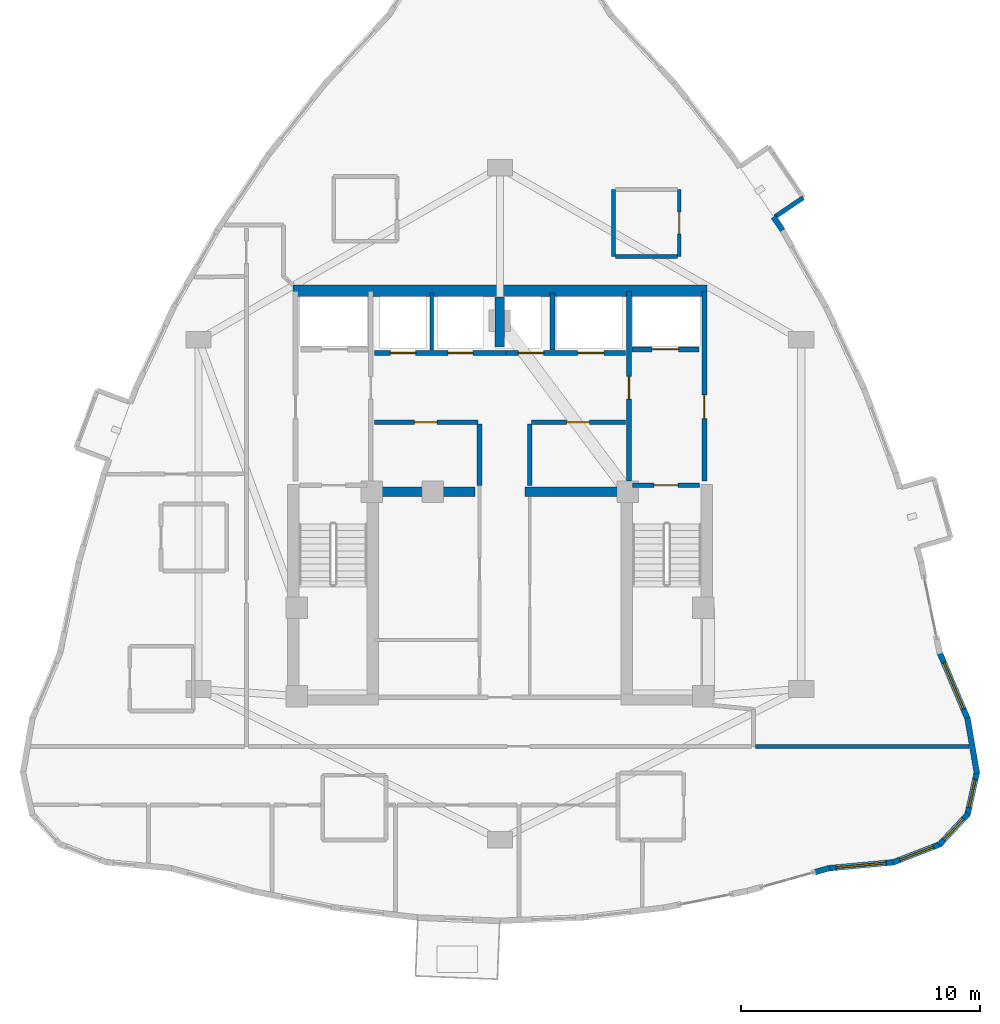
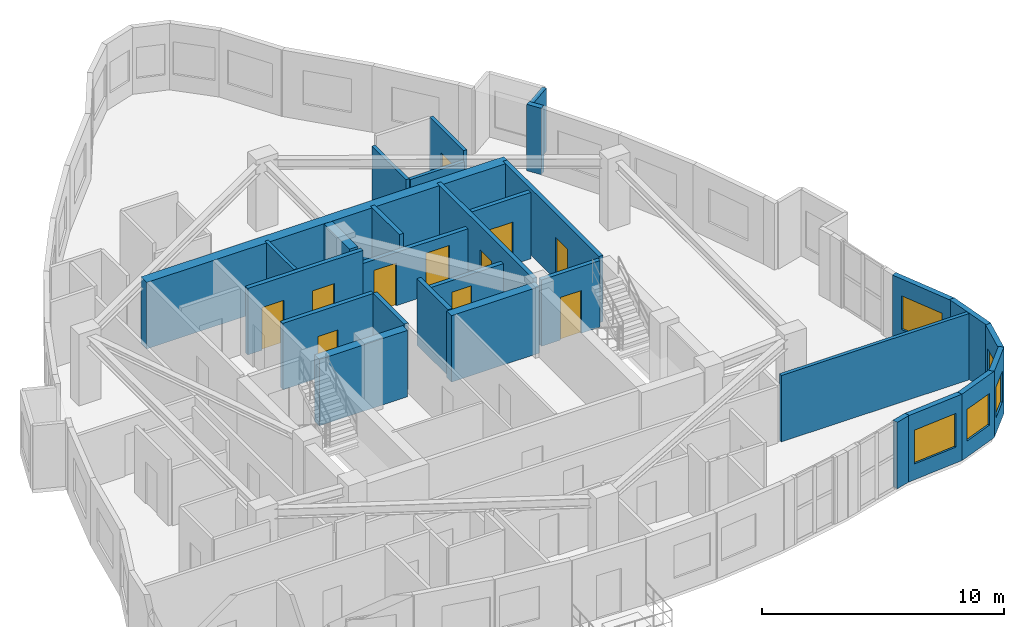
# One storey, part 12 of 15: 29 walls, 11 doors, 5 windows, 16 openings.
"""IFC4 building model written with IfcOpenShell, lengths in metres."""

from ifc_helpers import new_model, si_unit, direction, frame, frame_2d, origin, place, context, subcontext, project, spatial, rectangle, extrude, material, layer, layer_set, type_object, element, fill, save


model = new_model("IFC4")

# Units and contexts
model_context = context("Model", 3, precision=1e-05, world=origin(), true_north=direction((0.0, 1.0)))
body_context = subcontext(model_context, "Body", "Model", "MODEL_VIEW")
ifc_project = project(units=[si_unit("LENGTHUNIT", "METRE"), si_unit("AREAUNIT", "SQUARE_METRE"), si_unit("VOLUMEUNIT", "CUBIC_METRE"), si_unit("PLANEANGLEUNIT", "RADIAN"), si_unit("MASSUNIT", "GRAM", prefix="KILO")], contexts=[model_context])

# Site, building, storey
site_placement = place(None, origin())
site = spatial("IfcSite", under=ifc_project, at=site_placement, CompositionType="ELEMENT")
building_placement = place(site_placement, origin())
building = spatial("IfcBuilding", under=site, at=building_placement, Name="Miruveldt Soraemaru", CompositionType="ELEMENT")
storey_placement = place(building_placement, frame((0.0, 0.0, 234.0)))
storey = spatial("IfcBuildingStorey", under=building, at=storey_placement, Name="L64", CompositionType="ELEMENT", Elevation=234.0)

# Walls
ifc_material_1 = material(Name="White powder-coated aluminium EN AW-6060 T6", Category="aluminium")
ifc_layer_1 = layer(ifc_material_1, 0.18994140625, Name="White powder-coated aluminium EN AW-6060 T6", Category="aluminium")
ifc_layer_set_1 = layer_set([ifc_layer_1], Name="White powder-coated aluminium EN AW-6060 T6")
wall_type_1 = type_object("IfcWallType", Name="WALL-BAY-ALU190", PredefinedType="SOLIDWALL", material=ifc_layer_set_1)
wall_1_placement = place(storey_placement, frame((55.506591796875, 55.54541015625, 0.0), z_axis=(0.0, 0.0, 1.0), x_axis=(0.827862228344, 0.560931485016, 0.0)))
element("IfcWall", 1, at=wall_1_placement, inside=storey, type_object=wall_type_1, Name="L64 Bay Window Side Cheek 2L", PredefinedType="SOLIDWALL", context=body_context, shape_type="SweptSolid", body=[
    extrude(rectangle(XDim=1.425048828125, YDim=0.18994140625, at=frame_2d((0.71240234375, 0.0))), origin(), (0.0, 0.0, 1.0), 3.195068359375),
])
ifc_material_2 = material(Name="Concrete C70/85 (70 MPa)", Category="concrete")
ifc_layer_2 = layer(ifc_material_2, 0.5, Name="Concrete C70/85 (70 MPa)", Category="concrete")
ifc_layer_set_2 = layer_set([ifc_layer_2], Name="Concrete C70/85 (70 MPa)")
wall_type_2 = type_object("IfcWallType", Name="WALL-BW-500", PredefinedType="SHEAR", material=ifc_layer_set_2)
wall_2_placement = place(storey_placement, frame((44.0, 50.10009765625, 0.0), z_axis=(0.0, 0.0, 1.0), x_axis=(0.0, 1.0, 0.0)))
element("IfcWall", 2, at=wall_2_placement, inside=storey, type_object=wall_type_2, Name="L64 Core Buttress Shear Wall BN", PredefinedType="SHEAR", context=body_context, shape_type="SweptSolid", body=[
    extrude(rectangle(XDim=2.099853515625, YDim=0.39990234375, at=frame_2d((1.0498046875, 0.0))), origin(), (0.0, 0.0, 1.0), 3.344970703125),
])
for number, where, z_axis, x_axis, name in (
    (3, (38.75, 44.050048828125, 0.0), (0.0, 0.0, 1.0), (1.0, 0.0, 0.0), "L64 Core Buttress Shear Wall BW"),
    (4, (45.050048828125, 44.050048828125, 0.0), (0.0, 0.0, 1.0), (1.0, 0.0, 0.0), "L64 Core Buttress Shear Wall BE"),
):
    element("IfcWall", number, at=place(storey_placement, frame(where, z_axis=z_axis, x_axis=x_axis)), inside=storey, type_object=wall_type_2, Name=name, PredefinedType="SHEAR", context=body_context, shape_type="SweptSolid", body=[
        extrude(rectangle(XDim=4.199951171875, YDim=0.39990234375, at=frame_2d((2.10009765625, 0.0))), origin(), (0.0, 0.0, 1.0), 3.344970703125),
    ])
ifc_material_3 = material(Name="Concrete C60/75 (60 MPa)", Category="concrete")
ifc_layer_3 = layer(ifc_material_3, 0.47998046875, Name="Concrete C60/75 (60 MPa)", Category="concrete")
ifc_layer_set_3 = layer_set([ifc_layer_3], Name="Concrete C60/75 (60 MPa)")
wall_type_3 = type_object("IfcWallType", Name="WALL-CW-480", PredefinedType="SHEAR", material=ifc_layer_set_3)
wall_3_placement = place(storey_placement, frame((35.35009765625, 52.449951171875, 0.0), z_axis=(0.0, 0.0, 1.0), x_axis=(1.0, 0.0, 0.0)))
element("IfcWall", 5, at=wall_3_placement, inside=storey, type_object=wall_type_3, Name="L64 Central Core Shear Wall N", PredefinedType="SHEAR", context=body_context, shape_type="SweptSolid", body=[
    extrude(rectangle(XDim=17.2998046875, YDim=0.47998046875, at=frame_2d((8.64990234375, 0.0))), origin(), (0.0, 0.0, 1.0), 3.344970703125),
])
ifc_material_4 = material(Name="Precast concrete C45/55 (45 MPa)", Category="concrete")
ifc_layer_4 = layer(ifc_material_4, 0.239990234375, Name="Precast concrete C45/55 (45 MPa)", Category="concrete")
ifc_layer_set_4 = layer_set([ifc_layer_4], Name="Precast concrete C45/55 (45 MPa)")
wall_type_4 = type_object("IfcWallType", Name="WALL-EXT-PC240", PredefinedType="SOLIDWALL", material=ifc_layer_set_4)
wall_4_placement = place(storey_placement, frame((57.107177734375, 28.123291015625, 0.0), z_axis=(0.0, 0.0, 1.0), x_axis=(0.962960424707, 0.269642764503, 0.0)))
element("IfcWall", 6, at=wall_4_placement, inside=storey, type_object=wall_type_4, Name="L64 Precast Pier Right 28", PredefinedType="SOLIDWALL", context=body_context, shape_type="SweptSolid", body=[
    extrude(rectangle(XDim=0.705322265625, YDim=0.239990234375, at=frame_2d((0.3525390625, 0.0))), origin(), (0.0, 0.0, 1.0), 3.344970703125),
])

# Wall, opening, window
wall_5_placement = place(storey_placement, frame((57.7177734375, 28.30078125, 0.0), z_axis=(0.0, 0.0, 1.0), x_axis=(0.995760144558, 0.09198768673, 0.0)))
wall_5 = element("IfcWall", 7, at=wall_5_placement, inside=storey, type_object=wall_type_4, Name="L64 Precast Concrete Facade Wall 29", PredefinedType="SOLIDWALL", context=body_context, shape_type="SweptSolid", body=[
    extrude(rectangle(XDim=2.789306640625, YDim=0.239990234375, at=frame_2d((1.39453125, 0.0))), origin(), (0.0, 0.0, 1.0), 3.344970703125),
])
opening_1_placement = place(wall_5_placement, frame((0.344970703125, 0.0, 0.800048828125)))
opening_1 = element("IfcOpeningElement", 8, at=opening_1_placement, cuts=wall_5, Name="Opening WN-1", PredefinedType="OPENING", context=body_context, shape_type="SweptSolid", body=[
    extrude(rectangle(XDim=2.10009765625, YDim=1.699951171875, at=frame_2d((1.050048828125, 0.85009765625))), frame((0.0, 0.1298828125, 0.0), z_axis=(0.0, -1.0, 0.0), x_axis=(1.0, 0.0, 0.0)), (0.0, 0.0, 1.0), 0.260009765625),
])
ifc_material_5 = material(Name="Triple low-e insulated glazing", Category="glass")
window_type_1 = type_object("IfcWindowType", Name="WIN-PUNCH-2100x1700", PartitioningType="SINGLE_PANEL", PredefinedType="WINDOW", material=ifc_material_5)
window_1_placement = place(opening_1_placement, origin())
window_1 = element("IfcWindow", 9, at=window_1_placement, inside=storey, type_object=window_type_1, Name="L64 Punched Triple-Glazed Window 29.1", OverallHeight=1.699951171875, OverallWidth=2.10009765625, PartitioningType="SINGLE_PANEL", PredefinedType="WINDOW", context=body_context, shape_type="SweptSolid", body=[
    extrude(rectangle(XDim=2.10009765625, YDim=1.699951171875, at=frame_2d((1.050048828125, 0.85009765625))), frame((0.0, 0.030029296875, 0.0), z_axis=(0.0, -1.0, 0.0), x_axis=(1.0, 0.0, 0.0)), (0.0, 0.0, 1.0), 0.06005859375),
])
fill(opening_1, window_1)

wall_6_placement = place(storey_placement, frame((60.427734375, 28.54150390625, 0.0), z_axis=(0.0, 0.0, 1.0), x_axis=(0.932297074695, 0.361693467616, 0.0)))
wall_6 = element("IfcWall", 10, at=wall_6_placement, inside=storey, type_object=wall_type_4, Name="L64 Precast Concrete Facade Wall 30", PredefinedType="SOLIDWALL", context=body_context, shape_type="SweptSolid", body=[
    extrude(rectangle(XDim=2.14453125, YDim=0.239990234375, at=frame_2d((1.072265625, 0.0))), origin(), (0.0, 0.0, 1.0), 3.344970703125),
])
opening_2_placement = place(wall_6_placement, frame((0.322998046875, 0.0, 0.800048828125)))
opening_2 = element("IfcOpeningElement", 11, at=opening_2_placement, cuts=wall_6, Name="Opening WN-3", PredefinedType="OPENING", context=body_context, shape_type="SweptSolid", body=[
    extrude(rectangle(XDim=1.5, YDim=1.60009765625, at=frame_2d((0.75, 0.800048828125))), frame((0.0, 0.1298828125, 0.0), z_axis=(0.0, -1.0, 0.0), x_axis=(1.0, 0.0, 0.0)), (0.0, 0.0, 1.0), 0.260009765625),
])
window_type_2 = type_object("IfcWindowType", Name="WIN-PUNCH-1500x1600", PartitioningType="SINGLE_PANEL", PredefinedType="WINDOW", material=ifc_material_5)
window_2_placement = place(opening_2_placement, origin())
window_2 = element("IfcWindow", 12, at=window_2_placement, inside=storey, type_object=window_type_2, Name="L64 Punched Triple-Glazed Window 30.1", OverallHeight=1.60009765625, OverallWidth=1.5, PartitioningType="SINGLE_PANEL", PredefinedType="WINDOW", context=body_context, shape_type="SweptSolid", body=[
    extrude(rectangle(XDim=1.5, YDim=1.60009765625, at=frame_2d((0.75, 0.800048828125))), frame((0.0, 0.030029296875, 0.0), z_axis=(0.0, -1.0, 0.0), x_axis=(1.0, 0.0, 0.0)), (0.0, 0.0, 1.0), 0.06005859375),
])
fill(opening_2, window_2)

wall_7_placement = place(storey_placement, frame((62.37060546875, 29.27880859375, 0.0), z_axis=(0.0, 0.0, 1.0), x_axis=(0.680150513849, 0.733072491989, 0.0)))
wall_7 = element("IfcWall", 13, at=wall_7_placement, inside=storey, type_object=wall_type_4, Name="L64 Precast Concrete Facade Wall 31", PredefinedType="SOLIDWALL", context=body_context, shape_type="SweptSolid", body=[
    extrude(rectangle(XDim=1.776123046875, YDim=0.239990234375, at=frame_2d((0.88818359375, 0.0))), origin(), (0.0, 0.0, 1.0), 3.344970703125),
])
opening_3_placement = place(wall_7_placement, frame((0.2880859375, 0.0, 0.780029296875)))
opening_3 = element("IfcOpeningElement", 14, at=opening_3_placement, cuts=wall_7, Name="Opening WN-4", PredefinedType="OPENING", context=body_context, shape_type="SweptSolid", body=[
    extrude(rectangle(XDim=1.199951171875, YDim=1.550048828125, at=frame_2d((0.60009765625, 0.77490234375))), frame((0.0, 0.1298828125, 0.0), z_axis=(0.0, -1.0, 0.0), x_axis=(1.0, 0.0, 0.0)), (0.0, 0.0, 1.0), 0.260009765625),
])
window_type_3 = type_object("IfcWindowType", Name="WIN-PUNCH-1200x1550", PartitioningType="SINGLE_PANEL", PredefinedType="WINDOW", material=ifc_material_5)
window_3_placement = place(opening_3_placement, origin())
window_3 = element("IfcWindow", 15, at=window_3_placement, inside=storey, type_object=window_type_3, Name="L64 Punched Triple-Glazed Window 31.1", OverallHeight=1.550048828125, OverallWidth=1.199951171875, PartitioningType="SINGLE_PANEL", PredefinedType="WINDOW", context=body_context, shape_type="SweptSolid", body=[
    extrude(rectangle(XDim=1.199951171875, YDim=1.550048828125, at=frame_2d((0.60009765625, 0.77490234375))), frame((0.0, 0.030029296875, 0.0), z_axis=(0.0, -1.0, 0.0), x_axis=(1.0, 0.0, 0.0)), (0.0, 0.0, 1.0), 0.06005859375),
])
fill(opening_3, window_3)

wall_8_placement = place(storey_placement, frame((63.54736328125, 30.52099609375, 0.0), z_axis=(0.0, 0.0, 1.0), x_axis=(0.215681605484, 0.976463744875, 0.0)))
wall_8 = element("IfcWall", 16, at=wall_8_placement, inside=storey, type_object=wall_type_4, Name="L64 Precast Concrete Facade Wall 32", PredefinedType="SOLIDWALL", context=body_context, shape_type="SweptSolid", body=[
    extrude(rectangle(XDim=1.86328125, YDim=0.239990234375, at=frame_2d((0.931640625, 0.0))), origin(), (0.0, 0.0, 1.0), 3.344970703125),
])
opening_4_placement = place(wall_8_placement, frame((0.33203125, 0.0, 0.780029296875)))
opening_4 = element("IfcOpeningElement", 17, at=opening_4_placement, cuts=wall_8, Name="Opening WN-4", PredefinedType="OPENING", context=body_context, shape_type="SweptSolid", body=[
    extrude(rectangle(XDim=1.199951171875, YDim=1.550048828125, at=frame_2d((0.60009765625, 0.77490234375))), frame((0.0, 0.1298828125, 0.0), z_axis=(0.0, -1.0, 0.0), x_axis=(1.0, 0.0, 0.0)), (0.0, 0.0, 1.0), 0.260009765625),
])
window_4_placement = place(opening_4_placement, origin())
window_4 = element("IfcWindow", 18, at=window_4_placement, inside=storey, type_object=window_type_3, Name="L64 Punched Triple-Glazed Window 32.1", OverallHeight=1.550048828125, OverallWidth=1.199951171875, PartitioningType="SINGLE_PANEL", PredefinedType="WINDOW", context=body_context, shape_type="SweptSolid", body=[
    extrude(rectangle(XDim=1.199951171875, YDim=1.550048828125, at=frame_2d((0.60009765625, 0.77490234375))), frame((0.0, 0.030029296875, 0.0), z_axis=(0.0, -1.0, 0.0), x_axis=(1.0, 0.0, 0.0)), (0.0, 0.0, 1.0), 0.06005859375),
])
fill(opening_4, window_4)

# Wall
wall_9_placement = place(storey_placement, frame((63.947509765625, 32.271484375, 0.0), z_axis=(0.0, 0.0, 1.0), x_axis=(-0.169240125324, 0.985574847477, 0.0)))
element("IfcWall", 19, at=wall_9_placement, inside=storey, type_object=wall_type_4, Name="L64 Precast Concrete Facade Wall 33", PredefinedType="SOLIDWALL", context=body_context, shape_type="SweptSolid", body=[
    extrude(rectangle(XDim=2.354248046875, YDim=0.239990234375, at=frame_2d((1.17724609375, 0.0))), origin(), (0.0, 0.0, 1.0), 3.344970703125),
])

# Wall, opening, window
wall_10_placement = place(storey_placement, frame((63.568603515625, 34.52490234375, 0.0), z_axis=(0.0, 0.0, 1.0), x_axis=(-0.388639047132, 0.921390086253, 0.0)))
wall_10 = element("IfcWall", 20, at=wall_10_placement, inside=storey, type_object=wall_type_4, Name="L64 Precast Concrete Facade Wall 34", PredefinedType="SOLIDWALL", context=body_context, shape_type="SweptSolid", body=[
    extrude(rectangle(XDim=3.05615234375, YDim=0.239990234375, at=frame_2d((1.528076171875, 0.0))), origin(), (0.0, 0.0, 1.0), 3.344970703125),
])
opening_5_placement = place(wall_10_placement, frame((0.47802734375, 0.0, 0.800048828125)))
opening_5 = element("IfcOpeningElement", 21, at=opening_5_placement, cuts=wall_10, Name="Opening WN-1", PredefinedType="OPENING", context=body_context, shape_type="SweptSolid", body=[
    extrude(rectangle(XDim=2.10009765625, YDim=1.699951171875, at=frame_2d((1.050048828125, 0.85009765625))), frame((0.0, 0.1298828125, 0.0), z_axis=(0.0, -1.0, 0.0), x_axis=(1.0, 0.0, 0.0)), (0.0, 0.0, 1.0), 0.260009765625),
])
window_5_placement = place(opening_5_placement, origin())
window_5 = element("IfcWindow", 22, at=window_5_placement, inside=storey, type_object=window_type_1, Name="L64 Punched Triple-Glazed Window 34.1", OverallHeight=1.699951171875, OverallWidth=2.10009765625, PartitioningType="SINGLE_PANEL", PredefinedType="WINDOW", context=body_context, shape_type="SweptSolid", body=[
    extrude(rectangle(XDim=2.10009765625, YDim=1.699951171875, at=frame_2d((1.050048828125, 0.85009765625))), frame((0.0, 0.030029296875, 0.0), z_axis=(0.0, -1.0, 0.0), x_axis=(1.0, 0.0, 0.0)), (0.0, 0.0, 1.0), 0.06005859375),
])
fill(opening_5, window_5)

# Wall
wall_11_placement = place(storey_placement, frame((55.819580078125, 54.9853515625, 0.0), z_axis=(0.0, 0.0, 1.0), x_axis=(-0.560912655774, 0.82787498609, 0.0)))
element("IfcWall", 23, at=wall_11_placement, inside=storey, type_object=wall_type_4, Name="L64 Precast Pier Wall 40A", PredefinedType="SOLIDWALL", context=body_context, shape_type="SweptSolid", body=[
    extrude(rectangle(XDim=0.66943359375, YDim=0.239990234375, at=frame_2d((0.334716796875, 0.0))), origin(), (0.0, 0.0, 1.0), 3.344970703125),
])

# Wall, opening, door
ifc_material_6 = material(Name="Concrete C40/50 (40 MPa)", Category="concrete")
ifc_layer_5 = layer(ifc_material_6, 0.159912109375, Name="Concrete C40/50 (40 MPa)", Category="concrete")
ifc_layer_set_5 = layer_set([ifc_layer_5], Name="Concrete C40/50 (40 MPa)")
wall_type_5 = type_object("IfcWallType", Name="WALL-INT-RC160", PredefinedType="SOLIDWALL", material=ifc_layer_set_5)
wall_12_placement = place(storey_placement, frame((51.4990234375, 53.8798828125, 0.0), z_axis=(0.0, 0.0, 1.0), x_axis=(0.0, 1.0, 0.0)))
wall_12 = element("IfcWall", 24, at=wall_12_placement, inside=storey, type_object=wall_type_5, Name="L64 Partition Wall 39", PredefinedType="SOLIDWALL", context=body_context, shape_type="SweptSolid", body=[
    extrude(rectangle(XDim=2.800048828125, YDim=0.159912109375, at=frame_2d((1.39990234375, 0.0))), origin(), (0.0, 0.0, 1.0), 3.344970703125),
])
opening_6_placement = place(wall_12_placement, frame((0.93994140625, 0.0, 0.0)))
opening_6 = element("IfcOpeningElement", 25, at=opening_6_placement, cuts=wall_12, Name="Opening D3A", PredefinedType="OPENING", context=body_context, shape_type="SweptSolid", body=[
    extrude(rectangle(XDim=0.919921875, YDim=2.10009765625, at=frame_2d((0.4599609375, 1.050048828125))), frame((0.0, 0.08984375, 0.0), z_axis=(0.0, -1.0, 0.0), x_axis=(1.0, 0.0, 0.0)), (0.0, 0.0, 1.0), 0.179931640625),
])
ifc_material_7 = material(Name="Anodised aluminium EN AW-6063 T6", Category="aluminium")
door_type_1 = type_object("IfcDoorType", Name="DOOR-INT-920", OperationType="NOTDEFINED", PredefinedType="DOOR", material=ifc_material_7)
door_1_placement = place(opening_6_placement, origin())
door_1 = element("IfcDoor", 26, at=door_1_placement, inside=storey, type_object=door_type_1, Name="L64 Unit CL02 KIT Door", OperationType="SINGLE_SWING_RIGHT", OverallHeight=2.10009765625, OverallWidth=0.919921875, PredefinedType="DOOR", context=body_context, shape_type="SweptSolid", body=[
    extrude(rectangle(XDim=0.919921875, YDim=2.10009765625, at=frame_2d((0.4599609375, 1.050048828125))), frame((0.0, 0.02490234375, 0.0), z_axis=(0.0, -1.0, 0.0), x_axis=(1.0, 0.0, 0.0)), (0.0, 0.0, 1.0), 0.050048828125),
])
fill(opening_6, door_1)

# Walls
wall_13_placement = place(storey_placement, frame((63.617919921875, 33.39208984375, 0.0), z_axis=(0.0, 0.0, 1.0), x_axis=(-0.999999617555, 0.000874579457, 0.0)))
element("IfcWall", 27, at=wall_13_placement, inside=storey, type_object=wall_type_5, Name="L64 Partition Wall 24", PredefinedType="SOLIDWALL", context=body_context, shape_type="SweptSolid", body=[
    extrude(rectangle(XDim=8.932861328125, YDim=0.159912109375, at=frame_2d((4.46630859375, 0.0))), origin(), (0.0, 0.0, 1.0), 3.344970703125),
])
wall_14_placement = place(storey_placement, frame((48.7490234375, 56.679931640625, 0.0), z_axis=(0.0, 0.0, 1.0), x_axis=(0.0, -1.0, 0.0)))
element("IfcWall", 28, at=wall_14_placement, inside=storey, type_object=wall_type_5, Name="L64 Partition Wall 41", PredefinedType="SOLIDWALL", context=body_context, shape_type="SweptSolid", body=[
    extrude(rectangle(XDim=2.800048828125, YDim=0.159912109375, at=frame_2d((1.39990234375, 0.0))), origin(), (0.0, 0.0, 1.0), 2.844970703125),
])
wall_15_placement = place(storey_placement, frame((48.8291015625, 53.8798828125, 0.0), z_axis=(0.0, 0.0, 1.0), x_axis=(1.0, 0.0, 0.0)))
element("IfcWall", 29, at=wall_15_placement, inside=storey, type_object=wall_type_5, Name="L64 Partition Wall 42", PredefinedType="SOLIDWALL", context=body_context, shape_type="SweptSolid", body=[
    extrude(rectangle(XDim=2.58984375, YDim=0.159912109375, at=frame_2d((1.294921875, 0.0))), origin(), (0.0, 0.0, 1.0), 2.844970703125),
])
wall_16_placement = place(storey_placement, frame((41.14990234375, 49.97998046875, 0.0), z_axis=(0.0, 0.0, 1.0), x_axis=(0.0, 1.0, 0.0)))
element("IfcWall", 30, at=wall_16_placement, inside=storey, type_object=wall_type_5, Name="L64 Core Compartment Wall PLH-DIV1", PredefinedType="SOLIDWALL", context=body_context, shape_type="SweptSolid", body=[
    extrude(rectangle(XDim=2.3701171875, YDim=0.159912109375, at=frame_2d((1.18505859375, 0.0))), origin(), (0.0, 0.0, 1.0), 3.344970703125),
])

# Wall, opening, door
ifc_layer_6 = layer(ifc_material_6, 0.199951171875, Name="Concrete C40/50 (40 MPa)", Category="concrete")
ifc_layer_set_6 = layer_set([ifc_layer_6], Name="Concrete C40/50 (40 MPa)")
wall_type_6 = type_object("IfcWallType", Name="WALL-INT-RC200", PredefinedType="SOLIDWALL", material=ifc_layer_set_6)
wall_17_placement = place(storey_placement, frame((52.550048828125, 44.5, 0.0), z_axis=(0.0, 0.0, 1.0), x_axis=(0.0, 1.0, 0.0)))
wall_17 = element("IfcWall", 31, at=wall_17_placement, inside=storey, type_object=wall_type_6, Name="L64 Core Compartment Wall FFE-OUT", PredefinedType="SOLIDWALL", context=body_context, shape_type="SweptSolid", body=[
    extrude(rectangle(XDim=7.919921875, YDim=0.199951171875, at=frame_2d((3.9599609375, 0.0))), origin(), (0.0, 0.0, 1.0), 3.344970703125),
])
opening_7_placement = place(wall_17_placement, frame((2.60009765625, 0.0, 0.0)))
opening_7 = element("IfcOpeningElement", 32, at=opening_7_placement, cuts=wall_17, Name="Opening FD1", PredefinedType="OPENING", context=body_context, shape_type="SweptSolid", body=[
    extrude(rectangle(XDim=1.0, YDim=2.14990234375, at=frame_2d((0.5, 1.074951171875))), frame((0.0, 0.10986328125, 0.0), z_axis=(0.0, -1.0, 0.0), x_axis=(1.0, 0.0, 0.0)), (0.0, 0.0, 1.0), 0.219970703125),
])
door_type_2 = type_object("IfcDoorType", Name="DOOR-FD1-1000", OperationType="NOTDEFINED", PredefinedType="DOOR", material=ifc_material_7)
door_2_placement = place(opening_7_placement, frame((1.0, 0.0, 0.0), z_axis=(0.0, 0.0, 1.0), x_axis=(-1.0, 0.0, 0.0)))
door_2 = element("IfcDoor", 33, at=door_2_placement, inside=storey, type_object=door_type_2, Name="L64 East Firefighting Lobby Exit Door", OperationType="SINGLE_SWING_RIGHT", OverallHeight=2.14990234375, OverallWidth=1.0, PredefinedType="DOOR", context=body_context, shape_type="SweptSolid", body=[
    extrude(rectangle(XDim=1.0, YDim=2.14990234375, at=frame_2d((0.5, 1.074951171875))), frame((0.0, 0.02490234375, 0.0), z_axis=(0.0, -1.0, 0.0), x_axis=(1.0, 0.0, 0.0)), (0.0, 0.0, 1.0), 0.050048828125),
])
fill(opening_7, door_2)

wall_18_placement = place(storey_placement, frame((49.39990234375, 44.5, 0.0), z_axis=(0.0, 0.0, 1.0), x_axis=(0.0, 1.0, 0.0)))
wall_18 = element("IfcWall", 34, at=wall_18_placement, inside=storey, type_object=wall_type_6, Name="L64 Core Compartment Wall FFE-IN", PredefinedType="SOLIDWALL", context=body_context, shape_type="SweptSolid", body=[
    extrude(rectangle(XDim=7.919921875, YDim=0.199951171875, at=frame_2d((3.9599609375, 0.0))), origin(), (0.0, 0.0, 1.0), 3.344970703125),
])
opening_8_placement = place(wall_18_placement, frame((3.425048828125, 0.0, 0.0)))
opening_8 = element("IfcOpeningElement", 35, at=opening_8_placement, cuts=wall_18, Name="Opening FD2", PredefinedType="OPENING", context=body_context, shape_type="SweptSolid", body=[
    extrude(rectangle(XDim=0.949951171875, YDim=2.14990234375, at=frame_2d((0.47509765625, 1.074951171875))), frame((0.0, 0.10986328125, 0.0), z_axis=(0.0, -1.0, 0.0), x_axis=(1.0, 0.0, 0.0)), (0.0, 0.0, 1.0), 0.219970703125),
])
door_type_3 = type_object("IfcDoorType", Name="DOOR-FD2-950", OperationType="NOTDEFINED", PredefinedType="DOOR", material=ifc_material_7)
door_3_placement = place(opening_8_placement, origin())
door_3 = element("IfcDoor", 36, at=door_3_placement, inside=storey, type_object=door_type_3, Name="L64 Lift Lobby to East Fire Lobby Door", OperationType="SINGLE_SWING_LEFT", OverallHeight=2.14990234375, OverallWidth=0.949951171875, PredefinedType="DOOR", context=body_context, shape_type="SweptSolid", body=[
    extrude(rectangle(XDim=0.949951171875, YDim=2.14990234375, at=frame_2d((0.47509765625, 1.074951171875))), frame((0.0, 0.02490234375, 0.0), z_axis=(0.0, -1.0, 0.0), x_axis=(1.0, 0.0, 0.0)), (0.0, 0.0, 1.0), 0.050048828125),
])
fill(opening_8, door_3)

# Wall, openings, doors
wall_19_placement = place(storey_placement, frame((38.75, 49.85009765625, 0.0), z_axis=(0.0, 0.0, 1.0), x_axis=(1.0, 0.0, 0.0)))
wall_19 = element("IfcWall", 37, at=wall_19_placement, inside=storey, type_object=wall_type_6, Name="L64 Core Compartment Wall ROWA-SW", PredefinedType="SOLIDWALL", context=body_context, shape_type="SweptSolid", body=[
    extrude(rectangle(XDim=5.5, YDim=0.199951171875, at=frame_2d((2.75, 0.0))), origin(), (0.0, 0.0, 1.0), 3.344970703125),
])
opening_9_placement = place(wall_19_placement, frame((0.675048828125, 0.0, 0.0)))
opening_9 = element("IfcOpeningElement", 38, at=opening_9_placement, cuts=wall_19, Name="Opening LD1", PredefinedType="OPENING", context=body_context, shape_type="SweptSolid", body=[
    extrude(rectangle(XDim=1.050048828125, YDim=2.14990234375, at=frame_2d((0.52490234375, 1.074951171875))), frame((0.0, 0.10986328125, 0.0), z_axis=(0.0, -1.0, 0.0), x_axis=(1.0, 0.0, 0.0)), (0.0, 0.0, 1.0), 0.219970703125),
])
opening_10_placement = place(wall_19_placement, frame((3.074951171875, 0.0, 0.0)))
opening_10 = element("IfcOpeningElement", 39, at=opening_10_placement, cuts=wall_19, Name="Opening LD1", PredefinedType="OPENING", context=body_context, shape_type="SweptSolid", body=[
    extrude(rectangle(XDim=1.050048828125, YDim=2.14990234375, at=frame_2d((0.52490234375, 1.074951171875))), frame((0.0, 0.10986328125, 0.0), z_axis=(0.0, -1.0, 0.0), x_axis=(1.0, 0.0, 0.0)), (0.0, 0.0, 1.0), 0.219970703125),
])
door_type_4 = type_object("IfcDoorType", Name="DOOR-LD1-1050", OperationType="SLIDING_TO_LEFT", PredefinedType="DOOR", material=ifc_material_7)
door_4_placement = place(opening_9_placement, origin())
door_4 = element("IfcDoor", 40, at=door_4_placement, inside=storey, type_object=door_type_4, Name="L64 PL-H1 Landing Door", OperationType="SLIDING_TO_LEFT", OverallHeight=2.14990234375, OverallWidth=1.050048828125, PredefinedType="DOOR", context=body_context, shape_type="SweptSolid", body=[
    extrude(rectangle(XDim=1.050048828125, YDim=2.14990234375, at=frame_2d((0.52490234375, 1.074951171875))), frame((0.0, 0.02490234375, 0.0), z_axis=(0.0, -1.0, 0.0), x_axis=(1.0, 0.0, 0.0)), (0.0, 0.0, 1.0), 0.050048828125),
])
fill(opening_9, door_4)
door_5_placement = place(opening_10_placement, origin())
door_5 = element("IfcDoor", 41, at=door_5_placement, inside=storey, type_object=door_type_4, Name="L64 PL-H2 Landing Door", OperationType="SLIDING_TO_LEFT", OverallHeight=2.14990234375, OverallWidth=1.050048828125, PredefinedType="DOOR", context=body_context, shape_type="SweptSolid", body=[
    extrude(rectangle(XDim=1.050048828125, YDim=2.14990234375, at=frame_2d((0.52490234375, 1.074951171875))), frame((0.0, 0.02490234375, 0.0), z_axis=(0.0, -1.0, 0.0), x_axis=(1.0, 0.0, 0.0)), (0.0, 0.0, 1.0), 0.050048828125),
])
fill(opening_10, door_5)

wall_20_placement = place(storey_placement, frame((44.25, 49.85009765625, 0.0), z_axis=(0.0, 0.0, 1.0), x_axis=(1.0, 0.0, 0.0)))
wall_20 = element("IfcWall", 42, at=wall_20_placement, inside=storey, type_object=wall_type_6, Name="L64 Core Compartment Wall ROWA-SE", PredefinedType="SOLIDWALL", context=body_context, shape_type="SweptSolid", body=[
    extrude(rectangle(XDim=5.0, YDim=0.199951171875, at=frame_2d((2.5, 0.0))), origin(), (0.0, 0.0, 1.0), 2.68310546875),
])
opening_11_placement = place(wall_20_placement, frame((0.52490234375, 0.0, 0.0)))
opening_11 = element("IfcOpeningElement", 43, at=opening_11_placement, cuts=wall_20, Name="Opening LD1", PredefinedType="OPENING", context=body_context, shape_type="SweptSolid", body=[
    extrude(rectangle(XDim=1.050048828125, YDim=2.14990234375, at=frame_2d((0.52490234375, 1.074951171875))), frame((0.0, 0.10986328125, 0.0), z_axis=(0.0, -1.0, 0.0), x_axis=(1.0, 0.0, 0.0)), (0.0, 0.0, 1.0), 0.219970703125),
])
opening_12_placement = place(wall_20_placement, frame((3.0, 0.0, 0.0)))
opening_12 = element("IfcOpeningElement", 44, at=opening_12_placement, cuts=wall_20, Name="Opening LD2", PredefinedType="OPENING", context=body_context, shape_type="SweptSolid", body=[
    extrude(rectangle(XDim=1.10009765625, YDim=2.14990234375, at=frame_2d((0.550048828125, 1.074951171875))), frame((0.0, 0.10986328125, 0.0), z_axis=(0.0, -1.0, 0.0), x_axis=(1.0, 0.0, 0.0)), (0.0, 0.0, 1.0), 0.219970703125),
])
door_6_placement = place(opening_11_placement, origin())
door_6 = element("IfcDoor", 45, at=door_6_placement, inside=storey, type_object=door_type_4, Name="L64 PL-H3 Landing Door", OperationType="SLIDING_TO_LEFT", OverallHeight=2.14990234375, OverallWidth=1.050048828125, PredefinedType="DOOR", context=body_context, shape_type="SweptSolid", body=[
    extrude(rectangle(XDim=1.050048828125, YDim=2.14990234375, at=frame_2d((0.52490234375, 1.074951171875))), frame((0.0, 0.02490234375, 0.0), z_axis=(0.0, -1.0, 0.0), x_axis=(1.0, 0.0, 0.0)), (0.0, 0.0, 1.0), 0.050048828125),
])
fill(opening_11, door_6)
door_type_5 = type_object("IfcDoorType", Name="DOOR-LD2-1100", OperationType="SLIDING_TO_LEFT", PredefinedType="DOOR", material=ifc_material_7)
door_7_placement = place(opening_12_placement, origin())
door_7 = element("IfcDoor", 46, at=door_7_placement, inside=storey, type_object=door_type_5, Name="L64 SL-1 Landing Door", OperationType="SLIDING_TO_LEFT", OverallHeight=2.14990234375, OverallWidth=1.10009765625, PredefinedType="DOOR", context=body_context, shape_type="SweptSolid", body=[
    extrude(rectangle(XDim=1.10009765625, YDim=2.14990234375, at=frame_2d((0.550048828125, 1.074951171875))), frame((0.0, 0.02490234375, 0.0), z_axis=(0.0, -1.0, 0.0), x_axis=(1.0, 0.0, 0.0)), (0.0, 0.0, 1.0), 0.050048828125),
])
fill(opening_12, door_7)

# Wall, opening, door
wall_21_placement = place(storey_placement, frame((38.75, 46.949951171875, 0.0), z_axis=(0.0, 0.0, 1.0), x_axis=(1.0, 0.0, 0.0)))
wall_21 = element("IfcWall", 47, at=wall_21_placement, inside=storey, type_object=wall_type_6, Name="L64 Core Compartment Wall MBW-N", PredefinedType="SOLIDWALL", context=body_context, shape_type="SweptSolid", body=[
    extrude(rectangle(XDim=4.330078125, YDim=0.199951171875, at=frame_2d((2.1650390625, 0.0))), origin(), (0.0, 0.0, 1.0), 3.344970703125),
])
opening_13_placement = place(wall_21_placement, frame((1.675048828125, 0.0, 0.0)))
opening_13 = element("IfcOpeningElement", 48, at=opening_13_placement, cuts=wall_21, Name="Opening D2", PredefinedType="OPENING", context=body_context, shape_type="SweptSolid", body=[
    extrude(rectangle(XDim=0.949951171875, YDim=2.10009765625, at=frame_2d((0.47509765625, 1.050048828125))), frame((0.0, 0.10986328125, 0.0), z_axis=(0.0, -1.0, 0.0), x_axis=(1.0, 0.0, 0.0)), (0.0, 0.0, 1.0), 0.219970703125),
])
door_type_6 = type_object("IfcDoorType", Name="DOOR-INT-950", OperationType="NOTDEFINED", PredefinedType="DOOR", material=ifc_material_7)
door_8_placement = place(opening_13_placement, origin())
door_8 = element("IfcDoor", 49, at=door_8_placement, inside=storey, type_object=door_type_6, Name="L64 Fire Door", OperationType="SINGLE_SWING_LEFT", OverallHeight=2.10009765625, OverallWidth=0.949951171875, PredefinedType="DOOR", context=body_context, shape_type="SweptSolid", body=[
    extrude(rectangle(XDim=0.949951171875, YDim=2.10009765625, at=frame_2d((0.47509765625, 1.050048828125))), frame((0.0, 0.02490234375, 0.0), z_axis=(0.0, -1.0, 0.0), x_axis=(1.0, 0.0, 0.0)), (0.0, 0.0, 1.0), 0.050048828125),
])
fill(opening_13, door_8)

wall_22_placement = place(storey_placement, frame((45.320068359375, 46.949951171875, 0.0), z_axis=(0.0, 0.0, 1.0), x_axis=(1.0, 0.0, 0.0)))
wall_22 = element("IfcWall", 50, at=wall_22_placement, inside=storey, type_object=wall_type_6, Name="L64 Core Compartment Wall MBE-N", PredefinedType="SOLIDWALL", context=body_context, shape_type="SweptSolid", body=[
    extrude(rectangle(XDim=3.929931640625, YDim=0.199951171875, at=frame_2d((1.96484375, 0.0))), origin(), (0.0, 0.0, 1.0), 2.68310546875),
])
opening_14_placement = place(wall_22_placement, frame((1.47509765625, 0.0, 0.0)))
opening_14 = element("IfcOpeningElement", 51, at=opening_14_placement, cuts=wall_22, Name="Opening D2", PredefinedType="OPENING", context=body_context, shape_type="SweptSolid", body=[
    extrude(rectangle(XDim=0.949951171875, YDim=2.10009765625, at=frame_2d((0.47509765625, 1.050048828125))), frame((0.0, 0.10986328125, 0.0), z_axis=(0.0, -1.0, 0.0), x_axis=(1.0, 0.0, 0.0)), (0.0, 0.0, 1.0), 0.219970703125),
])
door_9_placement = place(opening_14_placement, origin())
door_9 = element("IfcDoor", 52, at=door_9_placement, inside=storey, type_object=door_type_6, Name="L64 Fire Door", OperationType="SINGLE_SWING_LEFT", OverallHeight=2.10009765625, OverallWidth=0.949951171875, PredefinedType="DOOR", context=body_context, shape_type="SweptSolid", body=[
    extrude(rectangle(XDim=0.949951171875, YDim=2.10009765625, at=frame_2d((0.47509765625, 1.050048828125))), frame((0.0, 0.02490234375, 0.0), z_axis=(0.0, -1.0, 0.0), x_axis=(1.0, 0.0, 0.0)), (0.0, 0.0, 1.0), 0.050048828125),
])
fill(opening_14, door_9)

wall_23_placement = place(storey_placement, frame((49.550048828125, 44.320068359375, 0.0), z_axis=(0.0, 0.0, 1.0), x_axis=(1.0, 0.0, 0.0)))
wall_23 = element("IfcWall", 53, at=wall_23_placement, inside=storey, type_object=wall_type_6, Name="L64 Core Compartment Wall ST2-N", PredefinedType="SOLIDWALL", context=body_context, shape_type="SweptSolid", body=[
    extrude(rectangle(XDim=2.800048828125, YDim=0.199951171875, at=frame_2d((1.39990234375, 0.0))), origin(), (0.0, 0.0, 1.0), 3.344970703125),
])
opening_15_placement = place(wall_23_placement, frame((0.89990234375, 0.0, 0.0)))
opening_15 = element("IfcOpeningElement", 54, at=opening_15_placement, cuts=wall_23, Name="Opening FD1", PredefinedType="OPENING", context=body_context, shape_type="SweptSolid", body=[
    extrude(rectangle(XDim=1.0, YDim=2.14990234375, at=frame_2d((0.5, 1.074951171875))), frame((0.0, 0.10986328125, 0.0), z_axis=(0.0, -1.0, 0.0), x_axis=(1.0, 0.0, 0.0)), (0.0, 0.0, 1.0), 0.219970703125),
])
door_10_placement = place(opening_15_placement, frame((1.0, 0.0, 0.0), z_axis=(0.0, 0.0, 1.0), x_axis=(-1.0, 0.0, 0.0)))
door_10 = element("IfcDoor", 55, at=door_10_placement, inside=storey, type_object=door_type_2, Name="L64 Stair ST-2 Fire Door", OperationType="SINGLE_SWING_RIGHT", OverallHeight=2.14990234375, OverallWidth=1.0, PredefinedType="DOOR", context=body_context, shape_type="SweptSolid", body=[
    extrude(rectangle(XDim=1.0, YDim=2.14990234375, at=frame_2d((0.5, 1.074951171875))), frame((0.0, 0.02490234375, 0.0), z_axis=(0.0, -1.0, 0.0), x_axis=(1.0, 0.0, 0.0)), (0.0, 0.0, 1.0), 0.050048828125),
])
fill(opening_15, door_10)

wall_24_placement = place(storey_placement, frame((49.52001953125, 50.0, 0.0), z_axis=(0.0, 0.0, 1.0), x_axis=(1.0, 0.0, 0.0)))
wall_24 = element("IfcWall", 56, at=wall_24_placement, inside=storey, type_object=wall_type_6, Name="L64 Core Compartment Wall FFL2-S", PredefinedType="SOLIDWALL", context=body_context, shape_type="SweptSolid", body=[
    extrude(rectangle(XDim=2.800048828125, YDim=0.199951171875, at=frame_2d((1.39990234375, 0.0))), origin(), (0.0, 0.0, 1.0), 3.344970703125),
])
opening_16_placement = place(wall_24_placement, frame((0.85009765625, 0.0, 0.0)))
opening_16 = element("IfcOpeningElement", 57, at=opening_16_placement, cuts=wall_24, Name="Opening LD2", PredefinedType="OPENING", context=body_context, shape_type="SweptSolid", body=[
    extrude(rectangle(XDim=1.10009765625, YDim=2.14990234375, at=frame_2d((0.550048828125, 1.074951171875))), frame((0.0, 0.10986328125, 0.0), z_axis=(0.0, -1.0, 0.0), x_axis=(1.0, 0.0, 0.0)), (0.0, 0.0, 1.0), 0.219970703125),
])
door_11_placement = place(opening_16_placement, origin())
door_11 = element("IfcDoor", 58, at=door_11_placement, inside=storey, type_object=door_type_5, Name="L64 FFL-2 Landing Door", OperationType="SLIDING_TO_LEFT", OverallHeight=2.14990234375, OverallWidth=1.10009765625, PredefinedType="DOOR", context=body_context, shape_type="SweptSolid", body=[
    extrude(rectangle(XDim=1.10009765625, YDim=2.14990234375, at=frame_2d((0.550048828125, 1.074951171875))), frame((0.0, 0.02490234375, 0.0), z_axis=(0.0, -1.0, 0.0), x_axis=(1.0, 0.0, 0.0)), (0.0, 0.0, 1.0), 0.050048828125),
])
fill(opening_16, door_11)

# Walls
for number, where, z_axis, x_axis, name in (
    (59, (43.14990234375, 44.300048828125, 0.0), (0.0, 0.0, 1.0), (0.0, 1.0, 0.0), "L64 Core Compartment Wall SP-WB"),
    (60, (45.25, 44.300048828125, 0.0), (0.0, 0.0, 1.0), (0.0, 1.0, 0.0), "L64 Core Compartment Wall SP-EB"),
):
    element("IfcWall", number, at=place(storey_placement, frame(where, z_axis=z_axis, x_axis=x_axis)), inside=storey, type_object=wall_type_6, Name=name, PredefinedType="SOLIDWALL", context=body_context, shape_type="SweptSolid", body=[
        extrude(rectangle(XDim=2.579833984375, YDim=0.199951171875, at=frame_2d((1.2900390625, 0.0))), origin(), (0.0, 0.0, 1.0), 3.344970703125),
    ])
wall_25_placement = place(storey_placement, frame((46.199951171875, 49.97998046875, 0.0), z_axis=(0.0, 0.0, 1.0), x_axis=(0.0, 1.0, 0.0)))
element("IfcWall", 61, at=wall_25_placement, inside=storey, type_object=wall_type_6, Name="L64 Core Compartment Wall PLH-SL-DIV", PredefinedType="SOLIDWALL", context=body_context, shape_type="SweptSolid", body=[
    extrude(rectangle(XDim=2.3701171875, YDim=0.199951171875, at=frame_2d((1.18505859375, 0.0))), origin(), (0.0, 0.0, 1.0), 3.344970703125),
])

save(model, "model.ifc")
